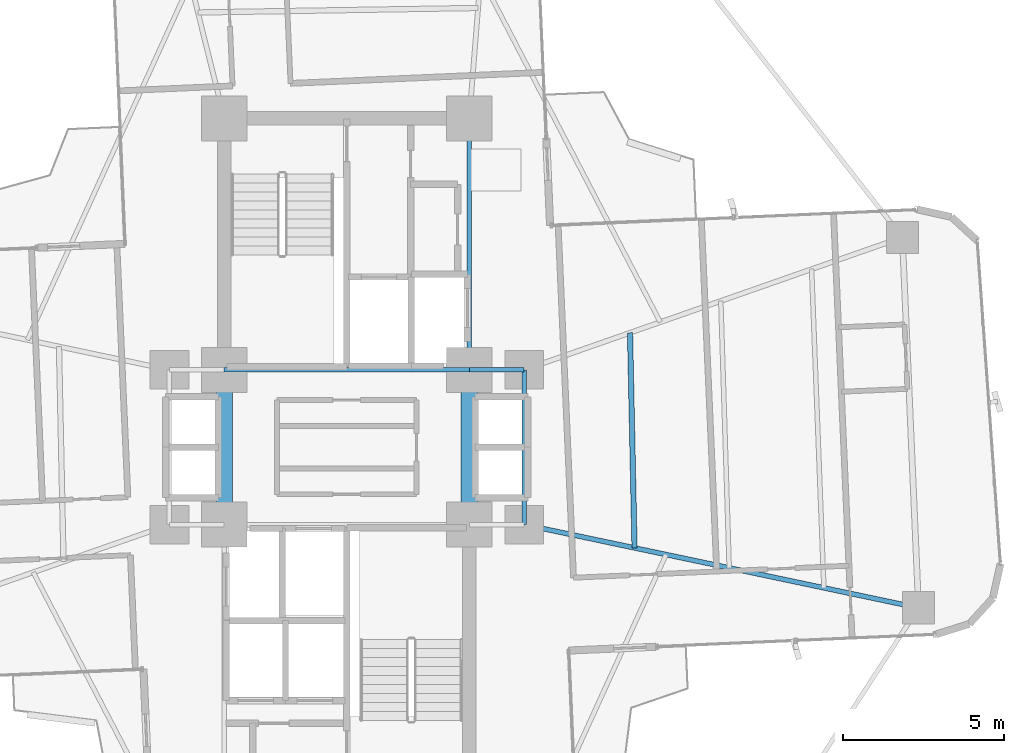
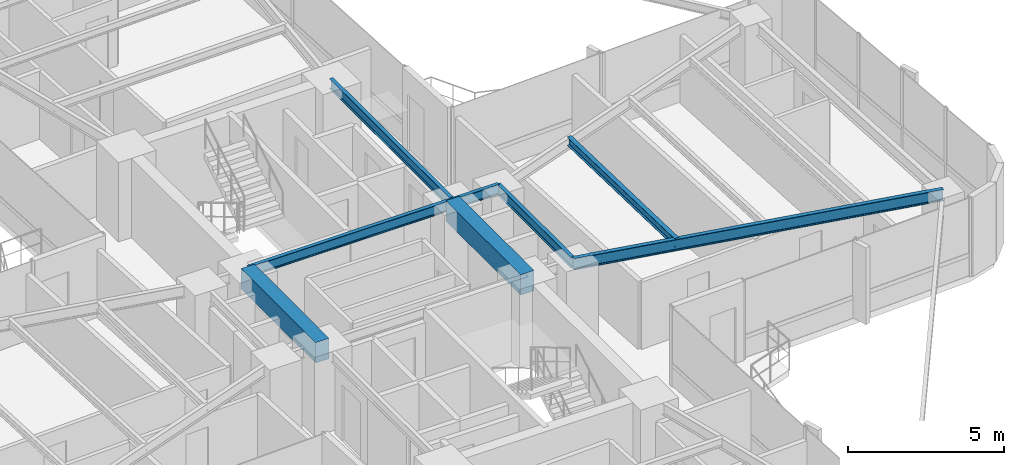
# One storey, part 12 of 26: 8 beams.
"""IFC4 building model written with IfcOpenShell, lengths in metres."""

from ifc_helpers import new_model, si_unit, direction, frame, origin, origin_2d, place, context, subcontext, project, spatial, rectangle, i_section, extrude, source, transform, mapped, material, material_profile, profile_set, type_object, element, save


model = new_model("IFC4")

# Units and contexts
model_context = context("Model", 3, precision=1e-05, world=origin(), true_north=direction((0.0, 1.0)))
body_context = subcontext(model_context, "Body", "Model", "MODEL_VIEW")
ifc_project = project(units=[si_unit("LENGTHUNIT", "METRE"), si_unit("AREAUNIT", "SQUARE_METRE"), si_unit("VOLUMEUNIT", "CUBIC_METRE"), si_unit("PLANEANGLEUNIT", "RADIAN"), si_unit("MASSUNIT", "GRAM", prefix="KILO")], contexts=[model_context])

# Site, building, storey
site_placement = place(None, origin())
site = spatial("IfcSite", under=ifc_project, at=site_placement, CompositionType="ELEMENT")
building_placement = place(site_placement, origin())
building = spatial("IfcBuilding", under=site, at=building_placement, Name="Sahyath Konkavel Grand Hotel", CompositionType="ELEMENT")
storey_placement = place(building_placement, frame((0.0, 0.0, 100.25)))
storey = spatial("IfcBuildingStorey", under=building, at=storey_placement, Name="L27", CompositionType="ELEMENT", Elevation=100.25)

# Beams
ifc_material_1 = material(Name="Steel E350", Category="steel")
ifc_material_profile_1 = material_profile(ifc_material_1, i_section(OverallWidth=0.139892578125, OverallDepth=0.39990234375, WebThickness=0.0087890625, FlangeThickness=0.01611328125, FilletRadius=0.013916015625, at=origin_2d()), Name="ISMB 400")
ifc_profile_set_1 = profile_set([ifc_material_profile_1], Name="Steel E350")
beam_type_1 = type_object("IfcBeamType", Name="BM-ISMB400", PredefinedType="BEAM", material=ifc_profile_set_1)
shared_shape_1 = source(origin(), body_context, "Body", "SweptSolid", [
    extrude(i_section(OverallWidth=0.139892578125, OverallDepth=0.39990234375, WebThickness=0.0087890625, FlangeThickness=0.01611328125, FilletRadius=0.013916015625, at=origin_2d()), origin(), (0.0, 0.0, 1.0), 7.60009765625),
])
beam_1_placement = place(storey_placement, frame((-3.800048828125, 2.39990234375, 2.909912109375), z_axis=(1.0, 0.0, 0.0), x_axis=(0.0, 1.0, 0.0)))
element("IfcBeam", 1, at=beam_1_placement, inside=storey, type_object=beam_type_1, Name="str:bm:L27:NC-S", PredefinedType="BEAM", context=body_context, shape_type="MappedRepresentation", body=[
    mapped(shared_shape_1, transform((0.0, 0.0, 0.0), scale=1.0)),
])
shared_shape_2 = source(origin(), body_context, "Body", "SweptSolid", [
    extrude(i_section(OverallWidth=0.139892578125, OverallDepth=0.39990234375, WebThickness=0.0087890625, FlangeThickness=0.01611328125, FilletRadius=0.013916015625, at=origin_2d()), origin(), (0.0, 0.0, 1.0), 7.800048828125),
])
beam_2_placement = place(storey_placement, frame((3.800048828125, 2.39990234375, 2.909912109375), z_axis=(0.0, 1.0, 0.0), x_axis=(-1.0, 0.0, 0.0)))
element("IfcBeam", 2, at=beam_2_placement, inside=storey, type_object=beam_type_1, Name="str:bm:L27:NC-E", PredefinedType="BEAM", context=body_context, shape_type="MappedRepresentation", body=[
    mapped(shared_shape_2, transform((0.0, 0.0, 0.0), scale=1.0)),
])
shared_shape_3 = source(origin(), body_context, "Body", "SweptSolid", [
    extrude(i_section(OverallWidth=0.139892578125, OverallDepth=0.39990234375, WebThickness=0.0087890625, FlangeThickness=0.01611328125, FilletRadius=0.013916015625, at=origin_2d()), origin(), (0.0, 0.0, 1.0), 1.699951171875),
])
beam_3_placement = place(storey_placement, frame((3.800048828125, 2.39990234375, 2.909912109375), z_axis=(1.0, 0.0, 0.0), x_axis=(0.0, 1.0, 0.0)))
element("IfcBeam", 3, at=beam_3_placement, inside=storey, type_object=beam_type_1, Name="str:bm:L27:HB-NE", PredefinedType="BEAM", context=body_context, shape_type="MappedRepresentation", body=[
    mapped(shared_shape_3, transform((0.0, 0.0, 0.0), scale=1.0)),
])
shared_shape_4 = source(origin(), body_context, "Body", "SweptSolid", [
    extrude(i_section(OverallWidth=0.139892578125, OverallDepth=0.39990234375, WebThickness=0.0087890625, FlangeThickness=0.01611328125, FilletRadius=0.013916015625, at=origin_2d()), origin(), (0.0, 0.0, 1.0), 4.7998046875),
])
beam_4_placement = place(storey_placement, frame((5.5, -2.39990234375, 2.909912109375), z_axis=(0.0, 1.0, 0.0), x_axis=(-1.0, 0.0, 0.0)))
element("IfcBeam", 4, at=beam_4_placement, inside=storey, type_object=beam_type_1, Name="str:bm:L27:HB-E", PredefinedType="BEAM", context=body_context, shape_type="MappedRepresentation", body=[
    mapped(shared_shape_4, transform((0.0, 0.0, 0.0), scale=1.0)),
])
ifc_material_2 = material(Name="Concrete C50/60", Category="concrete")
ifc_material_profile_2 = material_profile(ifc_material_2, rectangle(XDim=0.5, YDim=0.800048828125, at=origin_2d()), Name="RC 500x800")
ifc_profile_set_2 = profile_set([ifc_material_profile_2], Name="Concrete C50/60")
beam_type_2 = type_object("IfcBeamType", Name="BM-CB500x800", PredefinedType="LINTEL", material=ifc_profile_set_2)
shared_shape_5 = source(origin(), body_context, "Body", "SweptSolid", [
    extrude(rectangle(XDim=0.5, YDim=0.800048828125, at=origin_2d()), origin(), (0.0, 0.0, 1.0), 4.7998046875),
])
for number, where, z_axis, x_axis, name in (
    (5, (-3.800048828125, -2.39990234375, 2.7099609375), (0.0, 1.0, 0.0), (-1.0, 0.0, 0.0), "L27 Split-Core Coupling Beam West"),
    (6, (3.800048828125, -2.39990234375, 2.7099609375), (0.0, 1.0, 0.0), (-1.0, 0.0, 0.0), "L27 Split-Core Coupling Beam East"),
):
    element("IfcBeam", number, at=place(storey_placement, frame(where, z_axis=z_axis, x_axis=x_axis)), inside=storey, type_object=beam_type_2, Name=name, PredefinedType="LINTEL", context=body_context, shape_type="MappedRepresentation", body=[
        mapped(shared_shape_5, transform((0.0, 0.0, 0.0), scale=1.0)),
    ])
ifc_material_profile_3 = material_profile(ifc_material_1, i_section(OverallWidth=0.14990234375, OverallDepth=0.449951171875, WebThickness=0.009521484375, FlangeThickness=0.017333984375, FilletRadius=0.014892578125, at=origin_2d()), Name="ISMB 450")
ifc_profile_set_3 = profile_set([ifc_material_profile_3], Name="Steel E350")
beam_type_3 = type_object("IfcBeamType", Name="BM-ISMB450", PredefinedType="BEAM", material=ifc_profile_set_3)
shared_shape_6 = source(origin(), body_context, "Body", "SweptSolid", [
    extrude(i_section(OverallWidth=0.14990234375, OverallDepth=0.449951171875, WebThickness=0.009521484375, FlangeThickness=0.017333984375, FilletRadius=0.014892578125, at=origin_2d()), origin(), (0.0, 0.0, 1.0), 12.50341796875),
])
beam_5_placement = place(storey_placement, frame((5.5, -2.39990234375, 2.885009765625), z_axis=(0.978457911392, -0.206446398937, 0.0), x_axis=(0.206446398937, 0.978457911392, 0.0)))
element("IfcBeam", 7, at=beam_5_placement, inside=storey, type_object=beam_type_3, Name="L27 Cruciform Radial Girder EA", PredefinedType="BEAM", context=body_context, shape_type="MappedRepresentation", body=[
    mapped(shared_shape_6, transform((0.0, 0.0, 0.0), scale=1.0)),
])
ifc_material_profile_4 = material_profile(ifc_material_1, i_section(OverallWidth=0.1650390625, OverallDepth=0.324951171875, WebThickness=0.007080078125, FlangeThickness=0.009765625, FilletRadius=0.014892578125, at=origin_2d()), Name="ISLB 325")
ifc_profile_set_4 = profile_set([ifc_material_profile_4], Name="Steel E350")
beam_type_4 = type_object("IfcBeamType", Name="BM-ISLB325", PredefinedType="BEAM", material=ifc_profile_set_4)
shared_shape_7 = source(origin(), body_context, "Body", "SweptSolid", [
    extrude(i_section(OverallWidth=0.1650390625, OverallDepth=0.324951171875, WebThickness=0.007080078125, FlangeThickness=0.009765625, FilletRadius=0.014892578125, at=origin_2d()), origin(), (0.0, 0.0, 1.0), 6.674560546875),
])
beam_6_placement = place(storey_placement, frame((8.925537109375, -3.122802734375, 2.947509765625), z_axis=(-0.021032188543, 0.999778799058, 0.0), x_axis=(-0.999778799058, -0.021032188543, 0.0)))
element("IfcBeam", 8, at=beam_6_placement, inside=storey, type_object=beam_type_4, Name="L27 Secondary Floor Beam E-1", PredefinedType="BEAM", context=body_context, shape_type="MappedRepresentation", body=[
    mapped(shared_shape_7, transform((0.0, 0.0, 0.0), scale=1.0)),
])

save(model, "model.ifc")
